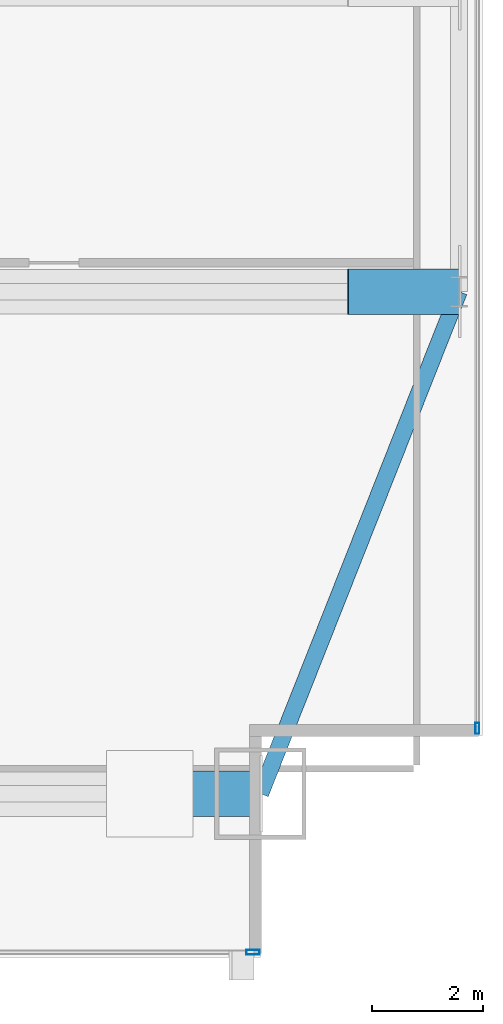
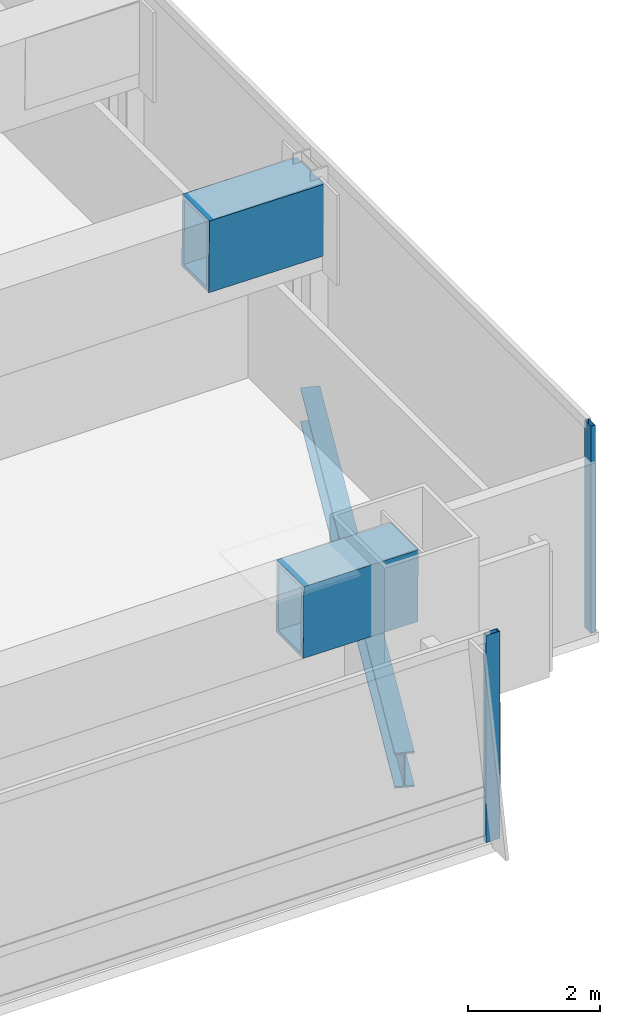
# One storey, part 18 of 32: 3 beams, 2 members, 2 elements without a shape of their own.
"""IFC4 building model written with IfcOpenShell, lengths in metres."""

from ifc_helpers import new_model, si_unit, direction, frame, origin, origin_2d, place, context, subcontext, project, spatial, hollow_rectangle, i_section, extrude, material, material_profile, profile_set, type_object, element, aggregate, save


model = new_model("IFC4")

# Units and contexts
model_context = context("Model", 3, precision=1e-05, world=origin(), true_north=direction((0.0, 1.0)))
body_context = subcontext(model_context, "Body", "Model", "MODEL_VIEW")
ifc_project = project(units=[si_unit("LENGTHUNIT", "METRE"), si_unit("AREAUNIT", "SQUARE_METRE"), si_unit("VOLUMEUNIT", "CUBIC_METRE"), si_unit("PLANEANGLEUNIT", "RADIAN"), si_unit("MASSUNIT", "GRAM", prefix="KILO")], contexts=[model_context])

# Site, building, storey
site_placement = place(None, origin())
site = spatial("IfcSite", under=ifc_project, at=site_placement, CompositionType="ELEMENT")
building_placement = place(site_placement, origin())
building = spatial("IfcBuilding", under=site, at=building_placement, Name="Khoronbel Lancet Exchange", CompositionType="ELEMENT")
storey_placement = place(building_placement, frame((0.0, 0.0, 77.800048828125)))
storey = spatial("IfcBuildingStorey", under=building, at=storey_placement, Name="L18", CompositionType="ELEMENT", Elevation=77.800048828125)

# Beams
ifc_material_1 = material(Name="Steel S355", Category="steel")
ifc_material_profile_1 = material_profile(ifc_material_1, i_section(OverallWidth=0.300048828125, OverallDepth=0.64990234375, WebThickness=0.01611328125, FlangeThickness=0.031005859375, at=origin_2d()), Name="HEB 650")
ifc_profile_set_1 = profile_set([ifc_material_profile_1], Name="Steel S355")
beam_type_1 = type_object("IfcBeamType", Name="BM-BSP1", PredefinedType="SPANDREL", material=ifc_profile_set_1)
beam_placement = place(storey_placement, frame((68.050048828125, 10.14990234375, -0.505126953125), z_axis=(0.367828403855, 0.929893684954, 0.0), x_axis=(-0.929893684954, 0.367828403855, 0.0)))
element("IfcBeam", 1, at=beam_placement, inside=storey, type_object=beam_type_1, Name="Level L18 perimeter spandrel beam SP10", PredefinedType="SPANDREL", context=body_context, shape_type="SweptSolid", body=[
    extrude(i_section(OverallWidth=0.300048828125, OverallDepth=0.64990234375, WebThickness=0.01611328125, FlangeThickness=0.031005859375, at=origin_2d()), origin(), (0.0, 0.0, 1.0), 9.732421875),
])
ifc_material_2 = material(Name="Steel S460", Category="steel")
ifc_material_profile_2 = material_profile(ifc_material_2, hollow_rectangle(XDim=0.820068359375, YDim=1.320068359375, WallThickness=0.070068359375, at=origin_2d()), Name="BOX 820x1320x70")
ifc_profile_set_2 = profile_set([ifc_material_profile_2], Name="Steel S460")
beam_type_2 = type_object("IfcBeamType", Name="BM-TG4", PredefinedType="USERDEFINED", material=ifc_profile_set_2)
for number, where, z_axis, x_axis, name in (
    (2, (68.050048828125, 10.14990234375, 3.139892578125), (-0.99994990606, 0.0, 0.010009264196), (0.0, -1.0, 0.0), "Setback transfer knee-brace girder L18-MC-SE"),
    (3, (71.6298828125, 19.199951171875, 3.139892578125), (-0.99994990606, 0.0, 0.010009264196), (0.0, -1.0, 0.0), "Setback transfer knee-brace girder L18-EC-1"),
):
    element("IfcBeam", number, at=place(storey_placement, frame(where, z_axis=z_axis, x_axis=x_axis)), inside=storey, type_object=beam_type_2, Name=name, ObjectType="TRANSFER GIRDER", PredefinedType="USERDEFINED", context=body_context, shape_type="SweptSolid", body=[
        extrude(hollow_rectangle(XDim=0.820068359375, YDim=1.320068359375, WallThickness=0.070068359375, at=origin_2d()), origin(), (0.0, 0.0, 1.0), 2.0),
    ])

# Curtain wall, member
ifc_material_3 = material(Name="Low-E Solar Control Insulating Glass", Category="glass")
curtain_wall_type_1 = type_object("IfcCurtainWallType", Name="CW-1", PredefinedType="NOTDEFINED", material=ifc_material_3)
curtain_wall_1_placement = place(storey_placement, origin())
curtain_wall_1 = element("IfcCurtainWall", 4, at=curtain_wall_1_placement, inside=storey, type_object=curtain_wall_type_1, Name="Unitised curtain wall CW-L18-SEV", PredefinedType="NOTDEFINED")
ifc_material_4 = material(Name="Bronze-Anodised Aluminium 6063-T6", Category="aluminium")
ifc_material_profile_3 = material_profile(ifc_material_4, hollow_rectangle(XDim=0.0849609375, YDim=0.239990234375, WallThickness=0.006103515625, at=origin_2d()), Name="ALU MULLION 85x240")
ifc_profile_set_3 = profile_set([ifc_material_profile_3], Name="Bronze-Anodised Aluminium 6063-T6")
member_type_1 = type_object("IfcMemberType", Name="MEM-CWM1", PredefinedType="MULLION", material=ifc_profile_set_3)
member_1_placement = place(storey_placement, frame((67.91748046875, 7.2900390625, 0.0), z_axis=(0.0, 0.0, 1.0), x_axis=(0.0, 1.0, 0.0)))
member_1 = element("IfcMember", 5, at=member_1_placement, type_object=member_type_1, Name="CW1 mullion 2", PredefinedType="MULLION", context=body_context, shape_type="SweptSolid", body=[
    extrude(hollow_rectangle(XDim=0.0849609375, YDim=0.239990234375, WallThickness=0.006103515625, at=origin_2d()), origin(), (0.0, 0.0, 1.0), 3.820068359375),
])
aggregate(curtain_wall_1, [member_1])

curtain_wall_type_2 = type_object("IfcCurtainWallType", Name="CW-4", PredefinedType="NOTDEFINED", material=ifc_material_3)
curtain_wall_2_placement = place(storey_placement, origin())
curtain_wall_2 = element("IfcCurtainWall", 6, at=curtain_wall_2_placement, inside=storey, type_object=curtain_wall_type_2, Name="Unitised curtain wall CW-L18-E09", PredefinedType="NOTDEFINED")
ifc_material_profile_4 = material_profile(ifc_material_4, hollow_rectangle(XDim=0.074951171875, YDim=0.199951171875, WallThickness=0.0048828125, at=origin_2d()), Name="ALU MULLION 75x200")
ifc_profile_set_4 = profile_set([ifc_material_profile_4], Name="Bronze-Anodised Aluminium 6063-T6")
member_type_2 = type_object("IfcMemberType", Name="MEM-CWM2", PredefinedType="MULLION", material=ifc_profile_set_4)
member_2_placement = place(storey_placement, frame((71.9599609375, 11.327392578125, 0.0), z_axis=(0.0, 0.0, 1.0), x_axis=(1.0, 0.0, 0.0)))
member_2 = element("IfcMember", 7, at=member_2_placement, type_object=member_type_2, Name="CW4 mullion 3", PredefinedType="MULLION", context=body_context, shape_type="SweptSolid", body=[
    extrude(hollow_rectangle(XDim=0.074951171875, YDim=0.199951171875, WallThickness=0.0048828125, at=origin_2d()), origin(), (0.0, 0.0, 1.0), 3.820068359375),
])
aggregate(curtain_wall_2, [member_2])

save(model, "model.ifc")
